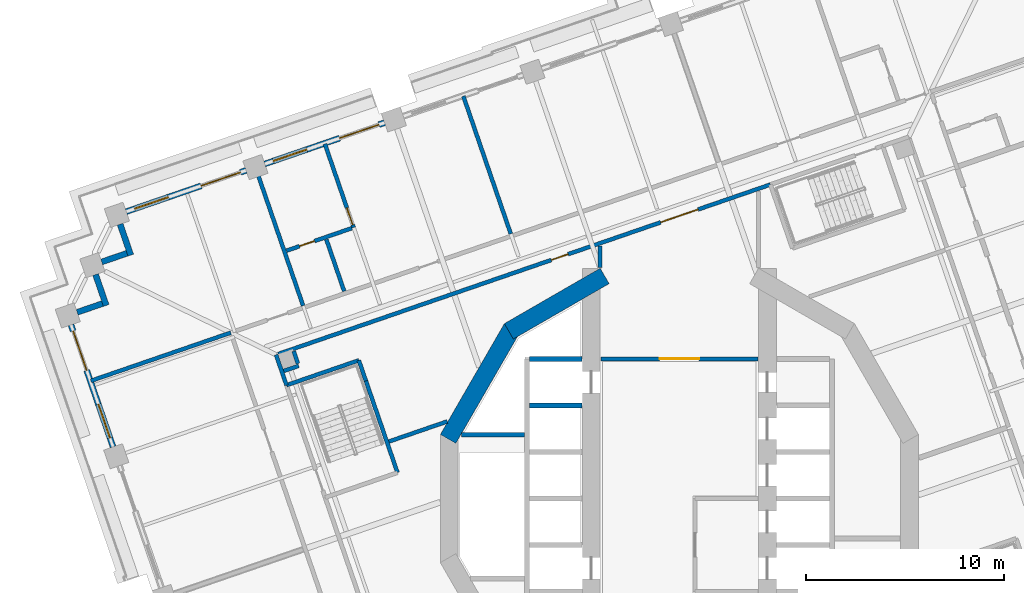
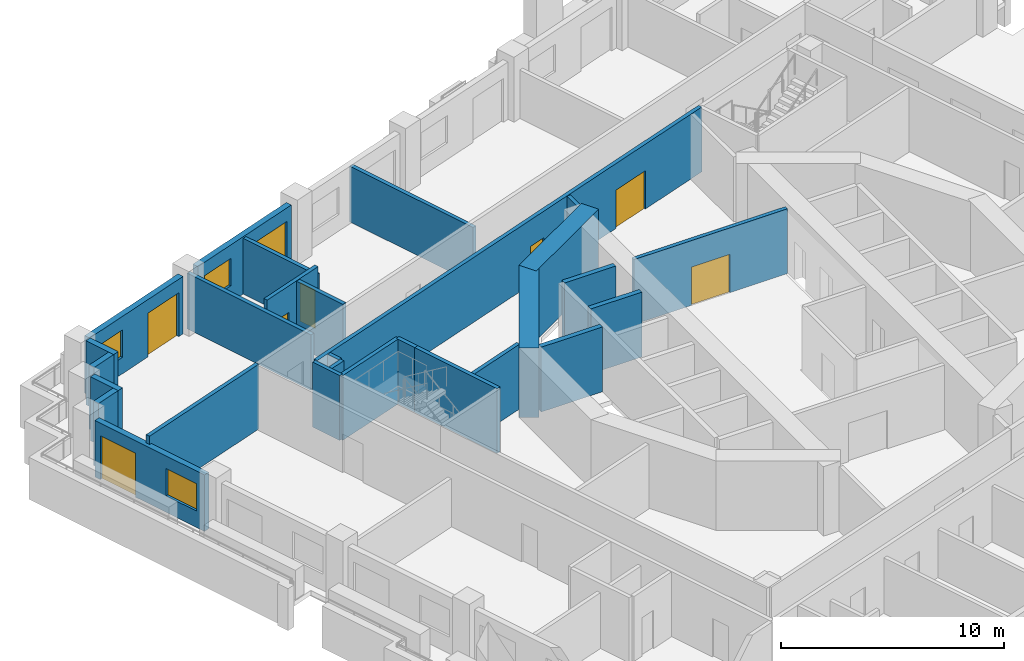
# One storey, part 8 of 19: 28 walls, 8 doors, 3 windows, 11 openings.
"""IFC4 building model written with IfcOpenShell, lengths in metres."""

from ifc_helpers import new_model, si_unit, direction, frame, frame_2d, origin, place, context, subcontext, project, spatial, rectangle, extrude, material, layer, layer_set, type_object, element, fill, save


model = new_model("IFC4")

# Units and contexts
model_context = context("Model", 3, precision=1e-05, world=origin(), true_north=direction((0.0, 1.0)))
body_context = subcontext(model_context, "Body", "Model", "MODEL_VIEW")
ifc_project = project(units=[si_unit("LENGTHUNIT", "METRE"), si_unit("AREAUNIT", "SQUARE_METRE"), si_unit("VOLUMEUNIT", "CUBIC_METRE"), si_unit("PLANEANGLEUNIT", "RADIAN"), si_unit("MASSUNIT", "GRAM", prefix="KILO")], contexts=[model_context])

# Site, building, storey
site_placement = place(None, origin())
site = spatial("IfcSite", under=ifc_project, at=site_placement, CompositionType="ELEMENT")
building_placement = place(site_placement, origin())
building = spatial("IfcBuilding", under=site, at=building_placement, Name="Cantera Rosa Tower", CompositionType="ELEMENT")
storey_placement = place(building_placement, frame((0.0, 0.0, 123.10009765625)))
storey = spatial("IfcBuildingStorey", under=building, at=storey_placement, Name="L25", CompositionType="ELEMENT", Elevation=123.10009765625)

# Walls
ifc_material_1 = material(Name="Gypsum board partition")
ifc_layer_1 = layer(ifc_material_1, 0.199951171875)
ifc_layer_set_1 = layer_set([ifc_layer_1], Name="CORRIDOR WALL 200 H3550")
wall_type_1 = type_object("IfcWallType", Name="CORRIDOR WALL 200 H3550", PredefinedType="PARTITIONING", material=ifc_layer_set_1)
wall_1_placement = place(storey_placement, frame((-20.37451171875, 7.262451171875, 0.0), z_axis=(0.0, 0.0, 1.0), x_axis=(0.325532736599, -0.945530770204, 0.0)))
element("IfcWall", 1, at=wall_1_placement, inside=storey, type_object=wall_type_1, Name="CORRIDOR WALL L25-003", PredefinedType="PARTITIONING", context=body_context, shape_type="SweptSolid", body=[
    extrude(rectangle(XDim=1.626708984375, YDim=0.199951171875, at=frame_2d((0.8134765625, 0.0))), origin(), (0.0, 0.0, 1.0), 3.5498046875),
])
wall_2_placement = place(storey_placement, frame((-4.0, 12.760498046875, 0.0), z_axis=(0.0, 0.0, 1.0), x_axis=(0.0, -1.0, 0.0)))
element("IfcWall", 2, at=wall_2_placement, inside=storey, type_object=wall_type_1, Name="CORRIDOR WALL L25-043", PredefinedType="PARTITIONING", context=body_context, shape_type="SweptSolid", body=[
    extrude(rectangle(XDim=1.09326171875, YDim=0.199951171875, at=frame_2d((0.546630859375, 0.0))), origin(), (0.0, 0.0, 1.0), 3.5498046875),
])

# Wall, opening, door
wall_3_placement = place(storey_placement, frame((-3.969970703125, 7.050048828125, 0.0), z_axis=(0.0, 0.0, 1.0), x_axis=(1.0, 0.0, 0.0)))
wall_3 = element("IfcWall", 3, at=wall_3_placement, inside=storey, type_object=wall_type_1, Name="CORRIDOR WALL L25-044", PredefinedType="PARTITIONING", context=body_context, shape_type="SweptSolid", body=[
    extrude(rectangle(XDim=7.93994140625, YDim=0.199951171875, at=frame_2d((3.969970703125, 0.0))), origin(), (0.0, 0.0, 1.0), 3.5498046875),
])
opening_1_placement = place(wall_3_placement, frame((2.969970703125, 0.0, 0.0)))
opening_1 = element("IfcOpeningElement", 4, at=opening_1_placement, cuts=wall_3, Name="Opening L25-010", PredefinedType="OPENING", context=body_context, shape_type="SweptSolid", body=[
    extrude(rectangle(XDim=2.0, YDim=2.10009765625, at=frame_2d((1.0, 1.050048828125))), frame((0.0, 0.10986328125, 0.0), z_axis=(0.0, -1.0, 0.0), x_axis=(1.0, 0.0, 0.0)), (0.0, 0.0, 1.0), 0.219970703125),
])
ifc_material_2 = material(Name="Steel S355J2 (EN 10025-2)", Category="steel")
door_type_1 = type_object("IfcDoorType", Name="LOBBY SCREEN DOOR 2000x2100", OperationType="NOTDEFINED", PredefinedType="DOOR", material=ifc_material_2)
door_1_placement = place(opening_1_placement, origin())
door_1 = element("IfcDoor", 5, at=door_1_placement, inside=storey, type_object=door_type_1, Name="DOOR L25-010", OperationType="NOTDEFINED", OverallHeight=2.10009765625, OverallWidth=2.0, PredefinedType="DOOR", context=body_context, shape_type="SweptSolid", body=[
    extrude(rectangle(XDim=2.0, YDim=2.10009765625, at=frame_2d((1.0, 1.050048828125))), frame((0.0, 0.02490234375, 0.0), z_axis=(0.0, -1.0, 0.0), x_axis=(1.0, 0.0, 0.0)), (0.0, 0.0, 1.0), 0.050048828125),
])
fill(opening_1, door_1)

# Wall, openings, doors
wall_4_placement = place(storey_placement, frame((4.599365234375, 15.861572265625, 0.0), z_axis=(0.0, 0.0, 1.0), x_axis=(-0.94551912499, -0.325566558907, 0.0)))
wall_4 = element("IfcWall", 6, at=wall_4_placement, inside=storey, type_object=wall_type_1, Name="CORRIDOR WALL L25-057", PredefinedType="PARTITIONING", context=body_context, shape_type="SweptSolid", body=[
    extrude(rectangle(XDim=26.292724609375, YDim=0.199951171875, at=frame_2d((13.146484375, 0.0))), origin(), (0.0, 0.0, 1.0), 3.5498046875),
])
opening_2_placement = place(wall_4_placement, frame((10.8095703125, 0.0, 0.0)))
opening_2 = element("IfcOpeningElement", 7, at=opening_2_placement, cuts=wall_4, Name="Opening L25-005", PredefinedType="OPENING", context=body_context, shape_type="SweptSolid", body=[
    extrude(rectangle(XDim=0.89990234375, YDim=2.10009765625, at=frame_2d((0.449951171875, 1.050048828125))), frame((0.0, 0.10986328125, 0.0), z_axis=(0.0, -1.0, 0.0), x_axis=(1.0, 0.0, 0.0)), (0.0, 0.0, 1.0), 0.219970703125),
])
opening_3_placement = place(wall_4_placement, frame((3.864501953125, 0.0, 0.0)))
opening_3 = element("IfcOpeningElement", 8, at=opening_3_placement, cuts=wall_4, Name="Opening L25-009", PredefinedType="OPENING", context=body_context, shape_type="SweptSolid", body=[
    extrude(rectangle(XDim=2.0, YDim=2.10009765625, at=frame_2d((1.0, 1.050048828125))), frame((0.0, 0.10986328125, 0.0), z_axis=(0.0, -1.0, 0.0), x_axis=(1.0, 0.0, 0.0)), (0.0, 0.0, 1.0), 0.219970703125),
])
door_2_placement = place(opening_3_placement, origin())
door_2 = element("IfcDoor", 9, at=door_2_placement, inside=storey, type_object=door_type_1, Name="DOOR L25-009", OperationType="NOTDEFINED", OverallHeight=2.10009765625, OverallWidth=2.0, PredefinedType="DOOR", context=body_context, shape_type="SweptSolid", body=[
    extrude(rectangle(XDim=2.0, YDim=2.10009765625, at=frame_2d((1.0, 1.050048828125))), frame((0.0, 0.02490234375, 0.0), z_axis=(0.0, -1.0, 0.0), x_axis=(1.0, 0.0, 0.0)), (0.0, 0.0, 1.0), 0.050048828125),
])
fill(opening_3, door_2)
ifc_material_3 = material(Name="Timber door leaf", Category="wood")
door_type_2 = type_object("IfcDoorType", Name="SERVICE DOOR 900x2100", OperationType="NOTDEFINED", PredefinedType="DOOR", material=ifc_material_3)
door_3_placement = place(opening_2_placement, origin())
door_3 = element("IfcDoor", 10, at=door_3_placement, inside=storey, type_object=door_type_2, Name="DOOR L25-005", OperationType="NOTDEFINED", OverallHeight=2.10009765625, OverallWidth=0.89990234375, PredefinedType="DOOR", context=body_context, shape_type="SweptSolid", body=[
    extrude(rectangle(XDim=0.89990234375, YDim=2.10009765625, at=frame_2d((0.449951171875, 1.050048828125))), frame((0.0, 0.02490234375, 0.0), z_axis=(0.0, -1.0, 0.0), x_axis=(1.0, 0.0, 0.0)), (0.0, 0.0, 1.0), 0.050048828125),
])
fill(opening_2, door_3)

# Walls
ifc_material_4 = material(Name="Hollow clay masonry with cantera stone cladding", Category="masonry")
ifc_layer_2 = layer(ifc_material_4, 0.300048828125)
ifc_layer_set_2 = layer_set([ifc_layer_2], Name="EW-LOGGIA 300")
wall_type_2 = type_object("IfcWallType", Name="EW-LOGGIA 300", PredefinedType="SOLIDWALL", material=ifc_layer_set_2)
wall_5_placement = place(storey_placement, frame((-28.250732421875, 13.857421875, 0.0), z_axis=(0.0, 0.0, 1.0), x_axis=(0.325666906351, -0.945484566827, 0.0)))
element("IfcWall", 11, at=wall_5_placement, inside=storey, type_object=wall_type_2, Name="EN-L25-W14a", PredefinedType="SOLIDWALL", context=body_context, shape_type="SweptSolid", body=[
    extrude(rectangle(XDim=1.64990234375, YDim=0.300048828125, at=frame_2d((0.824951171875, 0.0))), origin(), (0.0, 0.0, 1.0), 3.5),
])
wall_6_placement = place(storey_placement, frame((-27.904052734375, 12.390380859375, 0.0), z_axis=(0.0, 0.0, 1.0), x_axis=(-0.945545797087, -0.325489086777, 0.0)))
element("IfcWall", 12, at=wall_6_placement, inside=storey, type_object=wall_type_2, Name="EN-L25-W14b", PredefinedType="SOLIDWALL", context=body_context, shape_type="SweptSolid", body=[
    extrude(rectangle(XDim=1.35009765625, YDim=0.300048828125, at=frame_2d((0.675048828125, 0.0))), origin(), (0.0, 0.0, 1.0), 3.5),
])
wall_7_placement = place(storey_placement, frame((-29.490478515625, 11.315185546875, 0.0), z_axis=(0.0, 0.0, 1.0), x_axis=(0.32553462645, -0.945530119553, 0.0)))
element("IfcWall", 13, at=wall_7_placement, inside=storey, type_object=wall_type_2, Name="EN-L25-W15a", PredefinedType="SOLIDWALL", context=body_context, shape_type="SweptSolid", body=[
    extrude(rectangle(XDim=1.64990234375, YDim=0.300048828125, at=frame_2d((0.824951171875, 0.0))), origin(), (0.0, 0.0, 1.0), 3.5),
])
wall_8_placement = place(storey_placement, frame((-29.14404296875, 9.84814453125, 0.0), z_axis=(0.0, 0.0, 1.0), x_axis=(-0.945526634763, -0.325544748006, 0.0)))
element("IfcWall", 14, at=wall_8_placement, inside=storey, type_object=wall_type_2, Name="EN-L25-W15b", PredefinedType="SOLIDWALL", context=body_context, shape_type="SweptSolid", body=[
    extrude(rectangle(XDim=1.349853515625, YDim=0.300048828125, at=frame_2d((0.6748046875, 0.0))), origin(), (0.0, 0.0, 1.0), 3.5),
])

# Wall, openings, window, door
ifc_material_5 = material(Name="Hollow clay masonry with cantera stone cladding", Category="masonry")
ifc_layer_3 = layer(ifc_material_5, 0.300048828125)
ifc_layer_set_3 = layer_set([ifc_layer_3], Name="EW-LOGGIA 300 H3090")
wall_type_3 = type_object("IfcWallType", Name="EW-LOGGIA 300 H3090", PredefinedType="SOLIDWALL", material=ifc_layer_set_3)
wall_9_placement = place(storey_placement, frame((-30.73046875, 8.773193359375, 0.0), z_axis=(0.0, 0.0, 1.0), x_axis=(0.325580990241, -0.945514155787, 0.0)))
wall_9 = element("IfcWall", 15, at=wall_9_placement, inside=storey, type_object=wall_type_3, Name="EN-L25-W16", PredefinedType="SOLIDWALL", context=body_context, shape_type="SweptSolid", body=[
    extrude(rectangle(XDim=6.52001953125, YDim=0.300048828125, at=frame_2d((3.260009765625, 0.0))), origin(), (0.0, 0.0, 1.0), 3.08984375),
])
opening_4_placement = place(wall_9_placement, frame((0.330078125, 0.0, 0.0)))
opening_4 = element("IfcOpeningElement", 16, at=opening_4_placement, cuts=wall_9, Name="Opening L25-TD19", PredefinedType="OPENING", context=body_context, shape_type="SweptSolid", body=[
    extrude(rectangle(XDim=2.10009765625, YDim=2.39990234375, at=frame_2d((1.050048828125, 1.199951171875))), frame((0.0, 0.159912109375, 0.0), z_axis=(0.0, -1.0, 0.0), x_axis=(1.0, 0.0, 0.0)), (0.0, 0.0, 1.0), 0.320068359375),
])
opening_5_placement = place(wall_9_placement, frame((4.239990234375, 0.0, 0.89990234375)))
opening_5 = element("IfcOpeningElement", 17, at=opening_5_placement, cuts=wall_9, Name="Opening L25-W20", PredefinedType="OPENING", context=body_context, shape_type="SweptSolid", body=[
    extrude(rectangle(XDim=1.800048828125, YDim=1.5, at=frame_2d((0.89990234375, 0.75))), frame((0.0, 0.159912109375, 0.0), z_axis=(0.0, -1.0, 0.0), x_axis=(1.0, 0.0, 0.0)), (0.0, 0.0, 1.0), 0.320068359375),
])
ifc_material_6 = material(Name="Aluminium frame with clear glass", Category="aluminium")
window_type = type_object("IfcWindowType", Name="Hotel room window 1800x1500", PartitioningType="DOUBLE_PANEL_VERTICAL", PredefinedType="WINDOW", material=ifc_material_6)
window_1_placement = place(opening_5_placement, origin())
window_1 = element("IfcWindow", 18, at=window_1_placement, inside=storey, type_object=window_type, Name="WINDOW L25-W20", OverallHeight=1.5, OverallWidth=1.800048828125, PartitioningType="SINGLE_PANEL", PredefinedType="WINDOW", context=body_context, shape_type="SweptSolid", body=[
    extrude(rectangle(XDim=1.800048828125, YDim=1.5, at=frame_2d((0.89990234375, 0.75))), frame((0.0, 0.030029296875, 0.0), z_axis=(0.0, -1.0, 0.0), x_axis=(1.0, 0.0, 0.0)), (0.0, 0.0, 1.0), 0.06005859375),
])
fill(opening_5, window_1)
ifc_material_7 = material(Name="Aluminium frame with clear glass", Category="aluminium")
door_type_3 = type_object("IfcDoorType", Name="TD-H 2100x2400", OperationType="NOTDEFINED", PredefinedType="DOOR", material=ifc_material_7)
door_4_placement = place(opening_4_placement, origin())
door_4 = element("IfcDoor", 19, at=door_4_placement, inside=storey, type_object=door_type_3, Name="LOGGIA DOOR L25-TD19", OperationType="SLIDING_TO_LEFT", OverallHeight=2.39990234375, OverallWidth=2.10009765625, PredefinedType="DOOR", context=body_context, shape_type="SweptSolid", body=[
    extrude(rectangle(XDim=2.10009765625, YDim=2.39990234375, at=frame_2d((1.050048828125, 1.199951171875))), frame((0.0, 0.02490234375, 0.0), z_axis=(0.0, -1.0, 0.0), x_axis=(1.0, 0.0, 0.0)), (0.0, 0.0, 1.0), 0.050048828125),
])
fill(opening_4, door_4)

ifc_material_8 = material(Name="Hollow clay masonry with cantera stone cladding", Category="masonry")
ifc_layer_4 = layer(ifc_material_8, 0.300048828125)
ifc_layer_set_4 = layer_set([ifc_layer_4], Name="EW-LOGGIA 300 H3140")
wall_type_4 = type_object("IfcWallType", Name="EW-LOGGIA 300 H3140", PredefinedType="SOLIDWALL", material=ifc_layer_set_4)
wall_10_placement = place(storey_placement, frame((-14.892578125, 18.98583984375, 0.0), z_axis=(0.0, 0.0, 1.0), x_axis=(-0.945512753621, -0.325585062219, 0.0)))
wall_10 = element("IfcWall", 20, at=wall_10_placement, inside=storey, type_object=wall_type_4, Name="EN-L25-W12", PredefinedType="SOLIDWALL", context=body_context, shape_type="SweptSolid", body=[
    extrude(rectangle(XDim=6.39990234375, YDim=0.300048828125, at=frame_2d((3.199951171875, 0.0))), origin(), (0.0, 0.0, 1.0), 3.139892578125),
])
opening_6_placement = place(wall_10_placement, frame((0.300048828125, 0.0, 0.0)))
opening_6 = element("IfcOpeningElement", 21, at=opening_6_placement, cuts=wall_10, Name="Opening L25-TD15", PredefinedType="OPENING", context=body_context, shape_type="SweptSolid", body=[
    extrude(rectangle(XDim=2.10009765625, YDim=2.39990234375, at=frame_2d((1.050048828125, 1.199951171875))), frame((0.0, 0.159912109375, 0.0), z_axis=(0.0, -1.0, 0.0), x_axis=(1.0, 0.0, 0.0)), (0.0, 0.0, 1.0), 0.320068359375),
])
opening_7_placement = place(wall_10_placement, frame((4.14990234375, 0.0, 0.89990234375)))
opening_7 = element("IfcOpeningElement", 22, at=opening_7_placement, cuts=wall_10, Name="Opening L25-W16", PredefinedType="OPENING", context=body_context, shape_type="SweptSolid", body=[
    extrude(rectangle(XDim=1.800048828125, YDim=1.5, at=frame_2d((0.89990234375, 0.75))), frame((0.0, 0.159912109375, 0.0), z_axis=(0.0, -1.0, 0.0), x_axis=(1.0, 0.0, 0.0)), (0.0, 0.0, 1.0), 0.320068359375),
])
window_2_placement = place(opening_7_placement, origin())
window_2 = element("IfcWindow", 23, at=window_2_placement, inside=storey, type_object=window_type, Name="WINDOW L25-W16", OverallHeight=1.5, OverallWidth=1.800048828125, PartitioningType="SINGLE_PANEL", PredefinedType="WINDOW", context=body_context, shape_type="SweptSolid", body=[
    extrude(rectangle(XDim=1.800048828125, YDim=1.5, at=frame_2d((0.89990234375, 0.75))), frame((0.0, 0.030029296875, 0.0), z_axis=(0.0, -1.0, 0.0), x_axis=(1.0, 0.0, 0.0)), (0.0, 0.0, 1.0), 0.06005859375),
])
fill(opening_7, window_2)
door_5_placement = place(opening_6_placement, origin())
door_5 = element("IfcDoor", 24, at=door_5_placement, inside=storey, type_object=door_type_3, Name="LOGGIA DOOR L25-TD15", OperationType="SLIDING_TO_LEFT", OverallHeight=2.39990234375, OverallWidth=2.10009765625, PredefinedType="DOOR", context=body_context, shape_type="SweptSolid", body=[
    extrude(rectangle(XDim=2.10009765625, YDim=2.39990234375, at=frame_2d((1.050048828125, 1.199951171875))), frame((0.0, 0.02490234375, 0.0), z_axis=(0.0, -1.0, 0.0), x_axis=(1.0, 0.0, 0.0)), (0.0, 0.0, 1.0), 0.050048828125),
])
fill(opening_6, door_5)

wall_11_placement = place(storey_placement, frame((-21.889404296875, 16.57666015625, 0.0), z_axis=(0.0, 0.0, 1.0), x_axis=(-0.945512753621, -0.325585062219, 0.0)))
wall_11 = element("IfcWall", 25, at=wall_11_placement, inside=storey, type_object=wall_type_4, Name="EN-L25-W13", PredefinedType="SOLIDWALL", context=body_context, shape_type="SweptSolid", body=[
    extrude(rectangle(XDim=6.39990234375, YDim=0.300048828125, at=frame_2d((3.199951171875, 0.0))), origin(), (0.0, 0.0, 1.0), 3.139892578125),
])
opening_8_placement = place(wall_11_placement, frame((0.300048828125, 0.0, 0.0)))
opening_8 = element("IfcOpeningElement", 26, at=opening_8_placement, cuts=wall_11, Name="Opening L25-TD17", PredefinedType="OPENING", context=body_context, shape_type="SweptSolid", body=[
    extrude(rectangle(XDim=2.10009765625, YDim=2.39990234375, at=frame_2d((1.050048828125, 1.199951171875))), frame((0.0, 0.159912109375, 0.0), z_axis=(0.0, -1.0, 0.0), x_axis=(1.0, 0.0, 0.0)), (0.0, 0.0, 1.0), 0.320068359375),
])
opening_9_placement = place(wall_11_placement, frame((4.14990234375, 0.0, 0.89990234375)))
opening_9 = element("IfcOpeningElement", 27, at=opening_9_placement, cuts=wall_11, Name="Opening L25-W18", PredefinedType="OPENING", context=body_context, shape_type="SweptSolid", body=[
    extrude(rectangle(XDim=1.800048828125, YDim=1.5, at=frame_2d((0.89990234375, 0.75))), frame((0.0, 0.159912109375, 0.0), z_axis=(0.0, -1.0, 0.0), x_axis=(1.0, 0.0, 0.0)), (0.0, 0.0, 1.0), 0.320068359375),
])
window_3_placement = place(opening_9_placement, origin())
window_3 = element("IfcWindow", 28, at=window_3_placement, inside=storey, type_object=window_type, Name="WINDOW L25-W18", OverallHeight=1.5, OverallWidth=1.800048828125, PartitioningType="SINGLE_PANEL", PredefinedType="WINDOW", context=body_context, shape_type="SweptSolid", body=[
    extrude(rectangle(XDim=1.800048828125, YDim=1.5, at=frame_2d((0.89990234375, 0.75))), frame((0.0, 0.030029296875, 0.0), z_axis=(0.0, -1.0, 0.0), x_axis=(1.0, 0.0, 0.0)), (0.0, 0.0, 1.0), 0.06005859375),
])
fill(opening_9, window_3)
door_6_placement = place(opening_8_placement, origin())
door_6 = element("IfcDoor", 29, at=door_6_placement, inside=storey, type_object=door_type_3, Name="LOGGIA DOOR L25-TD17", OperationType="SLIDING_TO_LEFT", OverallHeight=2.39990234375, OverallWidth=2.10009765625, PredefinedType="DOOR", context=body_context, shape_type="SweptSolid", body=[
    extrude(rectangle(XDim=2.10009765625, YDim=2.39990234375, at=frame_2d((1.050048828125, 1.199951171875))), frame((0.0, 0.02490234375, 0.0), z_axis=(0.0, -1.0, 0.0), x_axis=(1.0, 0.0, 0.0)), (0.0, 0.0, 1.0), 0.050048828125),
])
fill(opening_8, door_6)

# Wall, opening, door
ifc_material_9 = material(Name="Gypsum board partition")
ifc_layer_5 = layer(ifc_material_9, 0.199951171875)
ifc_layer_set_5 = layer_set([ifc_layer_5], Name="PARTITION 200 H3050")
wall_type_5 = type_object("IfcWallType", Name="PARTITION 200 H3050", PredefinedType="PARTITIONING", material=ifc_layer_set_5)
wall_12_placement = place(storey_placement, frame((-17.908447265625, 17.915771484375, 0.0), z_axis=(0.0, 0.0, 1.0), x_axis=(0.325568171973, -0.945518569568, 0.0)))
wall_12 = element("IfcWall", 30, at=wall_12_placement, inside=storey, type_object=wall_type_5, Name="PARTITION L25-011", PredefinedType="PARTITIONING", context=body_context, shape_type="SweptSolid", body=[
    extrude(rectangle(XDim=4.47021484375, YDim=0.199951171875, at=frame_2d((2.235107421875, 0.0))), origin(), (0.0, 0.0, 1.0), 3.0498046875),
])
opening_10_placement = place(wall_12_placement, frame((3.419921875, 0.0, 0.0)))
opening_10 = element("IfcOpeningElement", 31, at=opening_10_placement, cuts=wall_12, Name="Opening L25-022", PredefinedType="OPENING", context=body_context, shape_type="SweptSolid", body=[
    extrude(rectangle(XDim=0.89990234375, YDim=2.10009765625, at=frame_2d((0.449951171875, 1.050048828125))), frame((0.0, 0.10986328125, 0.0), z_axis=(0.0, -1.0, 0.0), x_axis=(1.0, 0.0, 0.0)), (0.0, 0.0, 1.0), 0.219970703125),
])
ifc_material_10 = material(Name="Timber door leaf", Category="wood")
door_type_4 = type_object("IfcDoorType", Name="ROOM DOOR 900x2100", OperationType="NOTDEFINED", PredefinedType="DOOR", material=ifc_material_10)
door_7_placement = place(opening_10_placement, origin())
door_7 = element("IfcDoor", 32, at=door_7_placement, inside=storey, type_object=door_type_4, Name="DOOR L25-022", OperationType="NOTDEFINED", OverallHeight=2.10009765625, OverallWidth=0.89990234375, PredefinedType="DOOR", context=body_context, shape_type="SweptSolid", body=[
    extrude(rectangle(XDim=0.89990234375, YDim=2.10009765625, at=frame_2d((0.449951171875, 1.050048828125))), frame((0.0, 0.02490234375, 0.0), z_axis=(0.0, -1.0, 0.0), x_axis=(1.0, 0.0, 0.0)), (0.0, 0.0, 1.0), 0.050048828125),
])
fill(opening_10, door_7)

# Walls
wall_13_placement = place(storey_placement, frame((-10.91162109375, 20.324951171875, 0.0), z_axis=(0.0, 0.0, 1.0), x_axis=(0.325549451152, -0.945525015457, 0.0)))
element("IfcWall", 33, at=wall_13_placement, inside=storey, type_object=wall_type_5, Name="PARTITION L25-026", PredefinedType="PARTITIONING", context=body_context, shape_type="SweptSolid", body=[
    extrude(rectangle(XDim=7.35009765625, YDim=0.199951171875, at=frame_2d((3.675048828125, 0.0))), origin(), (0.0, 0.0, 1.0), 3.0498046875),
])
ifc_material_11 = material(Name="Gypsum board partition")
ifc_layer_6 = layer(ifc_material_11, 0.199951171875)
ifc_layer_set_6 = layer_set([ifc_layer_6], Name="PARTITION 200 H3550")
wall_type_6 = type_object("IfcWallType", Name="PARTITION 200 H3550", PredefinedType="PARTITIONING", material=ifc_layer_set_6)
wall_14_placement = place(storey_placement, frame((-22.662353515625, 8.37841796875, 0.0), z_axis=(0.0, 0.0, 1.0), x_axis=(-0.945512517373, -0.325585748291, 0.0)))
element("IfcWall", 34, at=wall_14_placement, inside=storey, type_object=wall_type_6, Name="PARTITION L25-001", PredefinedType="PARTITIONING", context=body_context, shape_type="SweptSolid", body=[
    extrude(rectangle(XDim=7.469970703125, YDim=0.199951171875, at=frame_2d((3.73486328125, 0.0))), origin(), (0.0, 0.0, 1.0), 3.5498046875),
])
wall_15_placement = place(storey_placement, frame((-19.98681640625, 6.444091796875, 0.0), z_axis=(0.0, 0.0, 1.0), x_axis=(0.945586856903, 0.325369783557, 0.0)))
element("IfcWall", 35, at=wall_15_placement, inside=storey, type_object=wall_type_6, Name="PARTITION L25-004", PredefinedType="PARTITIONING", context=body_context, shape_type="SweptSolid", body=[
    extrude(rectangle(XDim=0.7998046875, YDim=0.199951171875, at=frame_2d((0.39990234375, 0.0))), origin(), (0.0, 0.0, 1.0), 3.5498046875),
])
wall_16_placement = place(storey_placement, frame((-19.26953125, 6.81787109375, 0.0), z_axis=(0.0, 0.0, 1.0), x_axis=(-0.32553462645, 0.945530119553, 0.0)))
element("IfcWall", 36, at=wall_16_placement, inside=storey, type_object=wall_type_6, Name="PARTITION L25-007", PredefinedType="PARTITIONING", context=body_context, shape_type="SweptSolid", body=[
    extrude(rectangle(XDim=0.659912109375, YDim=0.199951171875, at=frame_2d((0.330078125, 0.0))), origin(), (0.0, 0.0, 1.0), 3.5498046875),
])
wall_17_placement = place(storey_placement, frame((-17.83251953125, 13.08740234375, 0.0), z_axis=(0.0, 0.0, 1.0), x_axis=(0.325606281984, -0.945505446379, 0.0)))
element("IfcWall", 37, at=wall_17_placement, inside=storey, type_object=wall_type_6, Name="PARTITION L25-014", PredefinedType="PARTITIONING", context=body_context, shape_type="SweptSolid", body=[
    extrude(rectangle(XDim=2.760009765625, YDim=0.199951171875, at=frame_2d((1.3798828125, 0.0))), origin(), (0.0, 0.0, 1.0), 3.5498046875),
])

# Wall, opening, door
wall_18_placement = place(storey_placement, frame((-16.547607421875, 13.656494140625, 0.0), z_axis=(0.0, 0.0, 1.0), x_axis=(-0.945536877918, -0.325514995811, 0.0)))
wall_18 = element("IfcWall", 38, at=wall_18_placement, inside=storey, type_object=wall_type_6, Name="PARTITION L25-016", PredefinedType="PARTITIONING", context=body_context, shape_type="SweptSolid", body=[
    extrude(rectangle(XDim=3.47998046875, YDim=0.199951171875, at=frame_2d((1.739990234375, 0.0))), origin(), (0.0, 0.0, 1.0), 3.5498046875),
])
opening_11_placement = place(wall_18_placement, frame((1.989990234375, 0.0, 0.0)))
opening_11 = element("IfcOpeningElement", 39, at=opening_11_placement, cuts=wall_18, Name="Opening L25-023", PredefinedType="OPENING", context=body_context, shape_type="SweptSolid", body=[
    extrude(rectangle(XDim=0.800048828125, YDim=2.10009765625, at=frame_2d((0.39990234375, 1.050048828125))), frame((0.0, 0.10986328125, 0.0), z_axis=(0.0, -1.0, 0.0), x_axis=(1.0, 0.0, 0.0)), (0.0, 0.0, 1.0), 0.219970703125),
])
ifc_material_12 = material(Name="Timber door leaf", Category="wood")
door_type_5 = type_object("IfcDoorType", Name="BATHROOM DOOR 800x2100", OperationType="NOTDEFINED", PredefinedType="DOOR", material=ifc_material_12)
door_8_placement = place(opening_11_placement, origin())
door_8 = element("IfcDoor", 40, at=door_8_placement, inside=storey, type_object=door_type_5, Name="DOOR L25-023", OperationType="NOTDEFINED", OverallHeight=2.10009765625, OverallWidth=0.800048828125, PredefinedType="DOOR", context=body_context, shape_type="SweptSolid", body=[
    extrude(rectangle(XDim=0.800048828125, YDim=2.10009765625, at=frame_2d((0.39990234375, 1.050048828125))), frame((0.0, 0.02490234375, 0.0), z_axis=(0.0, -1.0, 0.0), x_axis=(1.0, 0.0, 0.0)), (0.0, 0.0, 1.0), 0.050048828125),
])
fill(opening_11, door_8)

# Walls
wall_19_placement = place(storey_placement, frame((-11.728515625, 3.893798828125, 0.0), z_axis=(0.0, 0.0, 1.0), x_axis=(-0.945518607186, -0.325568062721, 0.0)))
element("IfcWall", 41, at=wall_19_placement, inside=storey, type_object=wall_type_6, Name="PARTITION L25-022", PredefinedType="PARTITIONING", context=body_context, shape_type="SweptSolid", body=[
    extrude(rectangle(XDim=3.11572265625, YDim=0.199951171875, at=frame_2d((1.557861328125, 0.0))), origin(), (0.0, 0.0, 1.0), 3.5498046875),
])
ifc_material_13 = material(Name="Gypsum board partition")
ifc_layer_7 = layer(ifc_material_13, 0.199951171875)
ifc_layer_set_7 = layer_set([ifc_layer_7], Name="PARTY WALL 200 H3050")
wall_type_7 = type_object("IfcWallType", Name="PARTY WALL 200 H3050", PredefinedType="PARTITIONING", material=ifc_layer_set_7)
wall_20_placement = place(storey_placement, frame((-19.00732421875, 9.74267578125, 0.0), z_axis=(0.0, 0.0, 1.0), x_axis=(-0.325603730276, 0.945506325114, 0.0)))
element("IfcWall", 42, at=wall_20_placement, inside=storey, type_object=wall_type_7, Name="PARTY WALL L25-008", PredefinedType="PARTITIONING", context=body_context, shape_type="SweptSolid", body=[
    extrude(rectangle(XDim=7.369873046875, YDim=0.199951171875, at=frame_2d((3.68505859375, 0.0))), origin(), (0.0, 0.0, 1.0), 3.0498046875),
])
ifc_material_14 = material(Name="Concrete C70/85", Category="concrete")
ifc_layer_8 = layer(ifc_material_14, 0.89990234375)
ifc_layer_set_8 = layer_set([ifc_layer_8], Name="RC CORE WALL 900 C70/85")
wall_type_8 = type_object("IfcWallType", Name="RC CORE WALL 900 C70/85", PredefinedType="SHEAR", material=ifc_layer_set_8)
wall_21_placement = place(storey_placement, frame((-11.684326171875, 3.01025390625, 0.0), z_axis=(0.0, 0.0, 1.0), x_axis=(0.499990282633, 0.866031014036, 0.0)))
element("IfcWall", 43, at=wall_21_placement, inside=storey, type_object=wall_type_8, Name="CW-W4 L25", PredefinedType="SHEAR", context=body_context, shape_type="SweptSolid", body=[
    extrude(rectangle(XDim=6.470458984375, YDim=0.89990234375, at=frame_2d((3.2353515625, 0.0))), origin(), (0.0, 0.0, 1.0), 3.7998046875),
])
wall_22_placement = place(storey_placement, frame((-8.61376953125, 8.44921875, 0.0), z_axis=(0.0, 0.0, 1.0), x_axis=(0.866026961591, 0.49999730179, 0.0)))
element("IfcWall", 44, at=wall_22_placement, inside=storey, type_object=wall_type_8, Name="CW-W5 L25", PredefinedType="SHEAR", context=body_context, shape_type="SweptSolid", body=[
    extrude(rectangle(XDim=5.58740234375, YDim=0.89990234375, at=frame_2d((2.793701171875, 0.0))), origin(), (0.0, 0.0, 1.0), 3.7998046875),
])
ifc_material_15 = material(Name="Masonry blockwork", Category="masonry")
ifc_layer_9 = layer(ifc_material_15, 0.25)
ifc_layer_set_9 = layer_set([ifc_layer_9], Name="SHAFT WALL 250 H3550")
wall_type_9 = type_object("IfcWallType", Name="SHAFT WALL 250 H3550", PredefinedType="SOLIDWALL", material=ifc_layer_set_9)
wall_23_placement = place(storey_placement, frame((-11.0068359375, 3.2236328125, 0.0), z_axis=(0.0, 0.0, 1.0), x_axis=(1.0, 0.0, 0.0)))
element("IfcWall", 45, at=wall_23_placement, inside=storey, type_object=wall_type_9, Name="SHAFT WALL L25-025", PredefinedType="SOLIDWALL", context=body_context, shape_type="SweptSolid", body=[
    extrude(rectangle(XDim=3.181884765625, YDim=0.25, at=frame_2d((1.5908203125, 0.0))), origin(), (0.0, 0.0, 1.0), 3.5498046875),
])
wall_24_placement = place(storey_placement, frame((-7.574951171875, 4.699951171875, 0.0), z_axis=(0.0, 0.0, 1.0), x_axis=(1.0, 0.0, 0.0)))
element("IfcWall", 46, at=wall_24_placement, inside=storey, type_object=wall_type_9, Name="SHAFT WALL L25-037", PredefinedType="SOLIDWALL", context=body_context, shape_type="SweptSolid", body=[
    extrude(rectangle(XDim=2.64501953125, YDim=0.25, at=frame_2d((1.322509765625, 0.0))), origin(), (0.0, 0.0, 1.0), 3.5498046875),
])
wall_25_placement = place(storey_placement, frame((-4.929931640625, 7.050048828125, 0.0), z_axis=(0.0, 0.0, 1.0), x_axis=(-1.0, 0.0, 0.0)))
element("IfcWall", 47, at=wall_25_placement, inside=storey, type_object=wall_type_9, Name="SHAFT WALL L25-041", PredefinedType="SOLIDWALL", context=body_context, shape_type="SweptSolid", body=[
    extrude(rectangle(XDim=2.650146484375, YDim=0.25, at=frame_2d((1.3251953125, 0.0))), origin(), (0.0, 0.0, 1.0), 3.5498046875),
])
ifc_material_16 = material(Name="Concrete C50/60", Category="concrete")
ifc_layer_10 = layer(ifc_material_16, 0.199951171875)
ifc_layer_set_10 = layer_set([ifc_layer_10], Name="STAIR WALL 200 H3550")
wall_type_10 = type_object("IfcWallType", Name="STAIR WALL 200 H3550", PredefinedType="SOLIDWALL", material=ifc_layer_set_10)
wall_26_placement = place(storey_placement, frame((-16.193115234375, 6.98193359375, 0.0), z_axis=(0.0, 0.0, 1.0), x_axis=(-0.945507920529, -0.325599097382, 0.0)))
element("IfcWall", 48, at=wall_26_placement, inside=storey, type_object=wall_type_10, Name="STAIR WALL L25-017", PredefinedType="SOLIDWALL", context=body_context, shape_type="SweptSolid", body=[
    extrude(rectangle(XDim=3.8623046875, YDim=0.199951171875, at=frame_2d((1.93115234375, 0.0))), origin(), (0.0, 0.0, 1.0), 3.5498046875),
])
wall_27_placement = place(storey_placement, frame((-14.239501953125, 1.308837890625, 0.0), z_axis=(0.0, 0.0, 1.0), x_axis=(-0.325599106316, 0.945507917453, 0.0)))
element("IfcWall", 49, at=wall_27_placement, inside=storey, type_object=wall_type_10, Name="STAIR WALL L25-020", PredefinedType="SOLIDWALL", context=body_context, shape_type="SweptSolid", body=[
    extrude(rectangle(XDim=4.900146484375, YDim=0.199951171875, at=frame_2d((2.4501953125, 0.0))), origin(), (0.0, 0.0, 1.0), 3.5498046875),
])
wall_28_placement = place(storey_placement, frame((-15.8349609375, 5.94189453125, 0.0), z_axis=(0.0, 0.0, 1.0), x_axis=(-0.325600768791, 0.945507344955, 0.0)))
element("IfcWall", 50, at=wall_28_placement, inside=storey, type_object=wall_type_10, Name="STAIR WALL L25-020 J", PredefinedType="SOLIDWALL", context=body_context, shape_type="SweptSolid", body=[
    extrude(rectangle(XDim=1.10009765625, YDim=0.199951171875, at=frame_2d((0.550048828125, 0.0))), origin(), (0.0, 0.0, 1.0), 3.5498046875),
])

save(model, "model.ifc")
